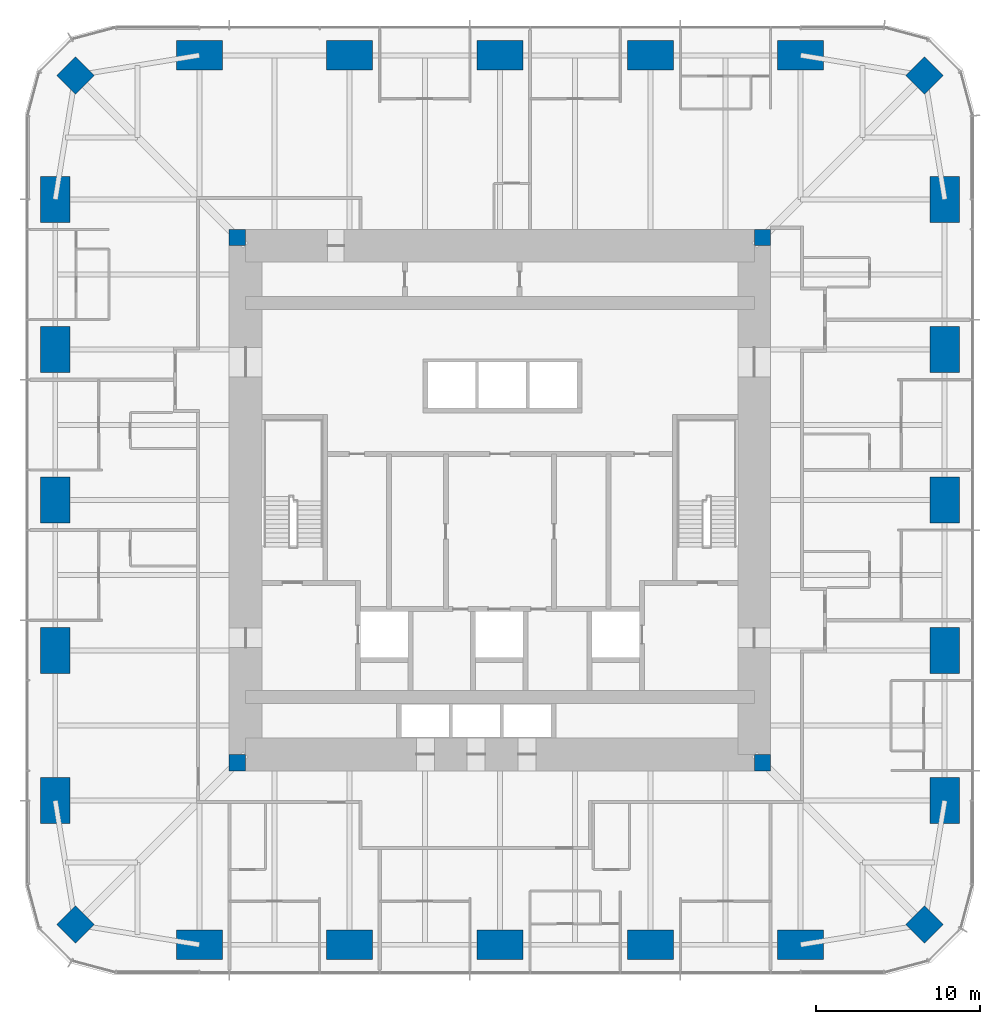
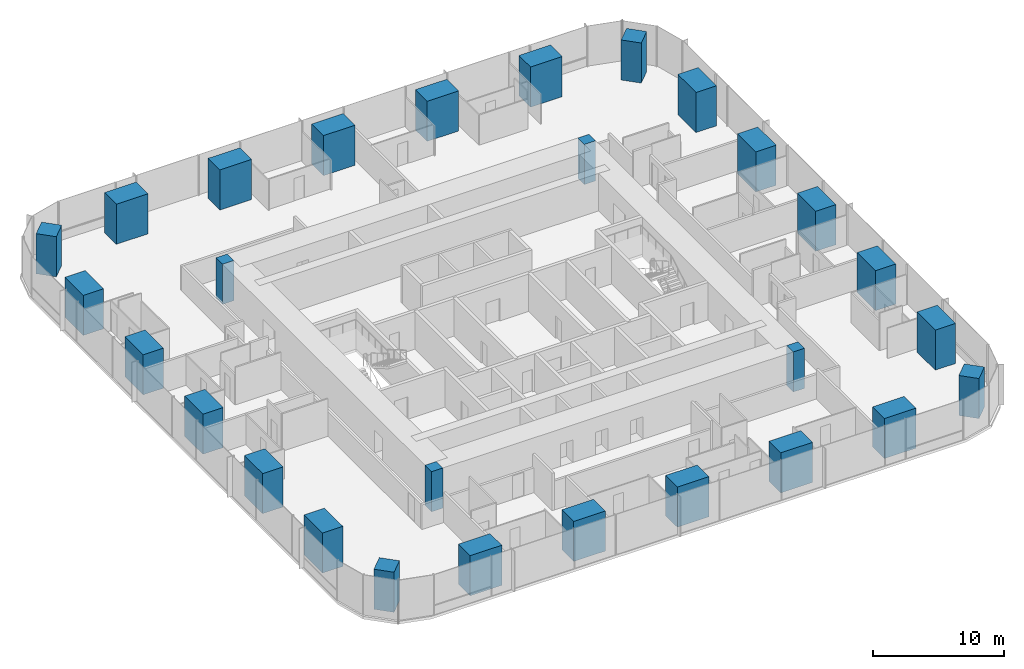
# One storey, part 1 of 13: 28 columns.
"""IFC4 building model written with IfcOpenShell, lengths in metres."""

from ifc_helpers import new_model, si_unit, direction, frame, origin, origin_2d, place, context, subcontext, project, spatial, rectangle, extrude, material, material_profile, profile_set, type_object, element, save


model = new_model("IFC4")

# Units and contexts
model_context = context("Model", 3, precision=1e-05, world=origin(), true_north=direction((0.0, 1.0)))
body_context = subcontext(model_context, "Body", "Model", "MODEL_VIEW")
ifc_project = project(units=[si_unit("LENGTHUNIT", "METRE"), si_unit("AREAUNIT", "SQUARE_METRE"), si_unit("VOLUMEUNIT", "CUBIC_METRE"), si_unit("PLANEANGLEUNIT", "RADIAN"), si_unit("MASSUNIT", "GRAM", prefix="KILO")], contexts=[model_context])

# Site, building, storey
site_placement = place(None, origin())
site = spatial("IfcSite", under=ifc_project, at=site_placement, CompositionType="ELEMENT")
building_placement = place(site_placement, origin())
building = spatial("IfcBuilding", under=site, at=building_placement, Name="Khuree Lantern Residences", CompositionType="ELEMENT")
storey_placement = place(building_placement, frame((0.0, 0.0, 137.25)))
storey = spatial("IfcBuildingStorey", under=building, at=storey_placement, Name="L34", CompositionType="ELEMENT", Elevation=137.25)

# Columns
ifc_material = material(Name="Concrete C70/85", Category="concrete")
ifc_material_profile_1 = material_profile(ifc_material, rectangle(XDim=1.60009765625, YDim=1.60009765625, at=origin_2d()), Name="RC 1600X1600")
ifc_profile_set_1 = profile_set([ifc_material_profile_1], Name="Concrete C70/85")
column_type_1 = type_object("IfcColumnType", Name="CC1600A PERIMETER CORNER COLUMN RC 1600X1600", PredefinedType="COLUMN", material=ifc_profile_set_1)
for number, where, z_axis, x_axis, name in (
    (1, (25.869873046875, 25.869873046875, 0.0), (0.0, 0.0, 1.0), (0.707106781187, -0.707106781187, 0.0), "Perimeter column NE"),
    (2, (25.869873046875, -25.869873046875, 0.0), (0.0, 0.0, 1.0), (0.707106781187, 0.707106781187, 0.0), "Perimeter column SE"),
    (3, (-25.869873046875, -25.869873046875, 0.0), (0.0, 0.0, 1.0), (0.707106781187, -0.707106781187, 0.0), "Perimeter column SW"),
    (4, (-25.869873046875, 25.869873046875, 0.0), (0.0, 0.0, 1.0), (0.707106781187, 0.707106781187, 0.0), "Perimeter column NW"),
):
    element("IfcColumn", number, at=place(storey_placement, frame(where, z_axis=z_axis, x_axis=x_axis)), inside=storey, type_object=column_type_1, Name=name, PredefinedType="COLUMN", context=body_context, shape_type="SweptSolid", body=[
        extrude(rectangle(XDim=1.60009765625, YDim=1.60009765625, at=origin_2d()), origin(), (0.0, 0.0, 1.0), 3.75),
    ])
ifc_material_profile_2 = material_profile(ifc_material, rectangle(XDim=1.0, YDim=1.0, at=origin_2d()), Name="RC 1000X1000")
ifc_profile_set_2 = profile_set([ifc_material_profile_2], Name="Concrete C70/85")
column_type_2 = type_object("IfcColumnType", Name="CP1000-C70 CORE CORNER PIER C70 RC 1000X1000", PredefinedType="COLUMN", material=ifc_profile_set_2)
for number, where, z_axis, x_axis, name in (
    (5, (16.0, 16.0, -0.25), (0.0, 0.0, 1.0), (1.0, 0.0, 0.0), "Core corner pier NE"),
    (6, (-16.0, 16.0, -0.25), (0.0, 0.0, 1.0), (1.0, 0.0, 0.0), "Core corner pier NW"),
    (7, (-16.0, -16.0, -0.25), (0.0, 0.0, 1.0), (1.0, 0.0, 0.0), "Core corner pier SW"),
    (8, (16.0, -16.0, -0.25), (0.0, 0.0, 1.0), (1.0, 0.0, 0.0), "Core corner pier SE"),
):
    element("IfcColumn", number, at=place(storey_placement, frame(where, z_axis=z_axis, x_axis=x_axis)), inside=storey, type_object=column_type_2, Name=name, PredefinedType="COLUMN", context=body_context, shape_type="SweptSolid", body=[
        extrude(rectangle(XDim=1.0, YDim=1.0, at=origin_2d()), origin(), (0.0, 0.0, 1.0), 3.75),
    ])
ifc_material_profile_3 = material_profile(ifc_material, rectangle(XDim=2.800048828125, YDim=1.800048828125, at=origin_2d()), Name="RC 2800X1800")
ifc_profile_set_3 = profile_set([ifc_material_profile_3], Name="Concrete C70/85")
column_type_3 = type_object("IfcColumnType", Name="PC2 PERIMETER COLUMN RC 2800X1800", PredefinedType="COLUMN", material=ifc_profile_set_3)
for number, where, z_axis, x_axis, name in (
    (9, (-18.320068359375, 27.10009765625, 0.0), (0.0, 0.0, 1.0), (1.0, 0.0, 0.0), "Perimeter column N1"),
    (10, (-9.159912109375, 27.10009765625, 0.0), (0.0, 0.0, 1.0), (1.0, 0.0, 0.0), "Perimeter column N2"),
    (11, (0.0, 27.10009765625, 0.0), (0.0, 0.0, 1.0), (1.0, 0.0, 0.0), "Perimeter column N3"),
    (12, (9.159912109375, 27.10009765625, 0.0), (0.0, 0.0, 1.0), (1.0, 0.0, 0.0), "Perimeter column N4"),
    (13, (18.320068359375, 27.10009765625, 0.0), (0.0, 0.0, 1.0), (1.0, 0.0, 0.0), "Perimeter column N5"),
    (14, (27.10009765625, 18.320068359375, 0.0), (0.0, 0.0, 1.0), (0.0, 1.0, 0.0), "Perimeter column E1"),
    (15, (27.10009765625, 9.159912109375, 0.0), (0.0, 0.0, 1.0), (0.0, 1.0, 0.0), "Perimeter column E2"),
    (16, (27.10009765625, 0.0, 0.0), (0.0, 0.0, 1.0), (0.0, 1.0, 0.0), "Perimeter column E3"),
    (17, (27.10009765625, -9.159912109375, 0.0), (0.0, 0.0, 1.0), (0.0, 1.0, 0.0), "Perimeter column E4"),
    (18, (27.10009765625, -18.320068359375, 0.0), (0.0, 0.0, 1.0), (0.0, 1.0, 0.0), "Perimeter column E5"),
    (19, (18.320068359375, -27.10009765625, 0.0), (0.0, 0.0, 1.0), (1.0, 0.0, 0.0), "Perimeter column S1"),
    (20, (9.159912109375, -27.10009765625, 0.0), (0.0, 0.0, 1.0), (1.0, 0.0, 0.0), "Perimeter column S2"),
    (21, (0.0, -27.10009765625, 0.0), (0.0, 0.0, 1.0), (1.0, 0.0, 0.0), "Perimeter column S3"),
    (22, (-9.159912109375, -27.10009765625, 0.0), (0.0, 0.0, 1.0), (1.0, 0.0, 0.0), "Perimeter column S4"),
    (23, (-18.320068359375, -27.10009765625, 0.0), (0.0, 0.0, 1.0), (1.0, 0.0, 0.0), "Perimeter column S5"),
    (24, (-27.10009765625, -18.320068359375, 0.0), (0.0, 0.0, 1.0), (0.0, 1.0, 0.0), "Perimeter column W1"),
    (25, (-27.10009765625, -9.159912109375, 0.0), (0.0, 0.0, 1.0), (0.0, 1.0, 0.0), "Perimeter column W2"),
    (26, (-27.10009765625, 0.0, 0.0), (0.0, 0.0, 1.0), (0.0, 1.0, 0.0), "Perimeter column W3"),
    (27, (-27.10009765625, 9.159912109375, 0.0), (0.0, 0.0, 1.0), (0.0, 1.0, 0.0), "Perimeter column W4"),
    (28, (-27.10009765625, 18.320068359375, 0.0), (0.0, 0.0, 1.0), (0.0, 1.0, 0.0), "Perimeter column W5"),
):
    element("IfcColumn", number, at=place(storey_placement, frame(where, z_axis=z_axis, x_axis=x_axis)), inside=storey, type_object=column_type_3, Name=name, PredefinedType="COLUMN", context=body_context, shape_type="SweptSolid", body=[
        extrude(rectangle(XDim=2.800048828125, YDim=1.800048828125, at=origin_2d()), origin(), (0.0, 0.0, 1.0), 3.75),
    ])

save(model, "model.ifc")
